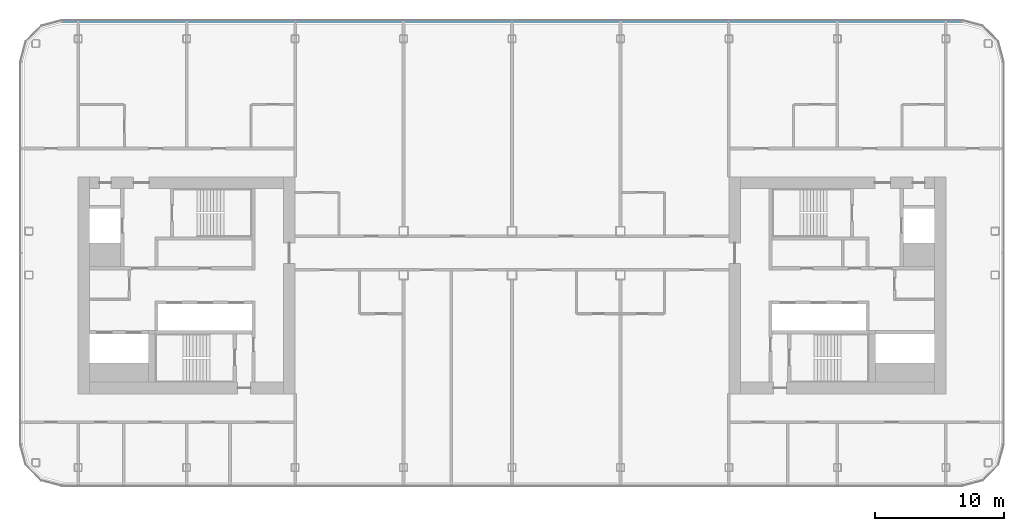
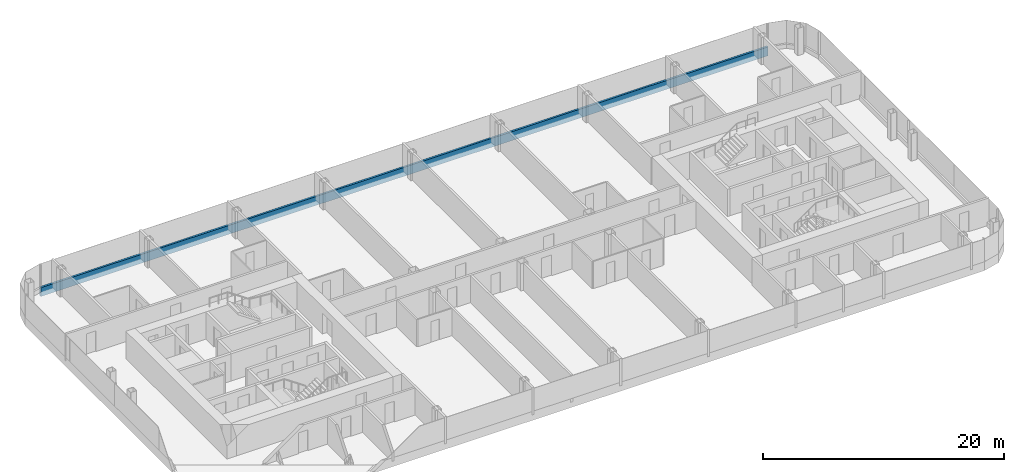
# One storey, part 8 of 25: 1 member, 1 element without a shape of its own.
"""IFC4 building model written with IfcOpenShell, lengths in metres."""

from ifc_helpers import new_model, si_unit, direction, frame, origin, origin_2d, place, context, subcontext, project, spatial, rectangle, extrude, material, layer, layer_set, material_profile, profile_set, type_object, element, aggregate, save


model = new_model("IFC4")

# Units and contexts
model_context = context("Model", 3, precision=1e-05, world=origin(), true_north=direction((0.0, 1.0)))
body_context = subcontext(model_context, "Body", "Model", "MODEL_VIEW")
ifc_project = project(units=[si_unit("LENGTHUNIT", "METRE"), si_unit("AREAUNIT", "SQUARE_METRE"), si_unit("VOLUMEUNIT", "CUBIC_METRE"), si_unit("PLANEANGLEUNIT", "RADIAN"), si_unit("MASSUNIT", "GRAM", prefix="KILO")], contexts=[model_context])

# Site, building, storey
site_placement = place(None, origin())
site = spatial("IfcSite", under=ifc_project, at=site_placement, CompositionType="ELEMENT")
building_placement = place(site_placement, origin())
building = spatial("IfcBuilding", under=site, at=building_placement, Name="Hakoniwa Tower and Hamabe Station Hall", CompositionType="ELEMENT")
storey_placement = place(building_placement, frame((0.0, 0.0, 202.60009765625)))
storey = spatial("IfcBuildingStorey", under=building, at=storey_placement, Name="L57", CompositionType="ELEMENT", Elevation=202.60009765625)

# Curtain wall, member
ifc_material_1 = material(Name="Dark low-e laminated glass", Category="glass")
ifc_layer = layer(ifc_material_1, 0.199951171875)
ifc_layer_set = layer_set([ifc_layer], Name="CW-1 UNITISED GUEST")
curtain_wall_type = type_object("IfcCurtainWallType", Name="CW-1 UNITISED GUEST", PredefinedType="NOTDEFINED", material=ifc_layer_set)
curtain_wall_placement = place(storey_placement, origin())
curtain_wall = element("IfcCurtainWall", 1, at=curtain_wall_placement, inside=storey, type_object=curtain_wall_type, Name="CW-1 curtain wall", PredefinedType="NOTDEFINED")
ifc_material_2 = material(Name="Aluminium 6063-T5 black anodised", Category="aluminium")
ifc_material_profile = material_profile(ifc_material_2, rectangle(XDim=0.199951171875, YDim=0.89990234375, at=origin_2d()), Name="CW SLAB-EDGE BAND 900X200")
ifc_profile_set = profile_set([ifc_material_profile], Name="Aluminium 6063-T5 black anodised")
member_type = type_object("IfcMemberType", Name="CW SLAB-EDGE BAND 900X200", PredefinedType="USERDEFINED", material=ifc_profile_set)
member_placement = place(storey_placement, frame((34.839599609375, 20.449951171875, -0.10009765625), z_axis=(-1.0, 0.0, 0.0), x_axis=(0.0, -1.0, 0.0)))
member = element("IfcMember", 2, at=member_placement, type_object=member_type, Name="CW-1 transom", ObjectType="TRANSOM", PredefinedType="USERDEFINED", context=body_context, shape_type="SweptSolid", body=[
    extrude(rectangle(XDim=0.199951171875, YDim=0.89990234375, at=origin_2d()), origin(), (0.0, 0.0, 1.0), 69.67919921875),
])
aggregate(curtain_wall, [member])

save(model, "model.ifc")
